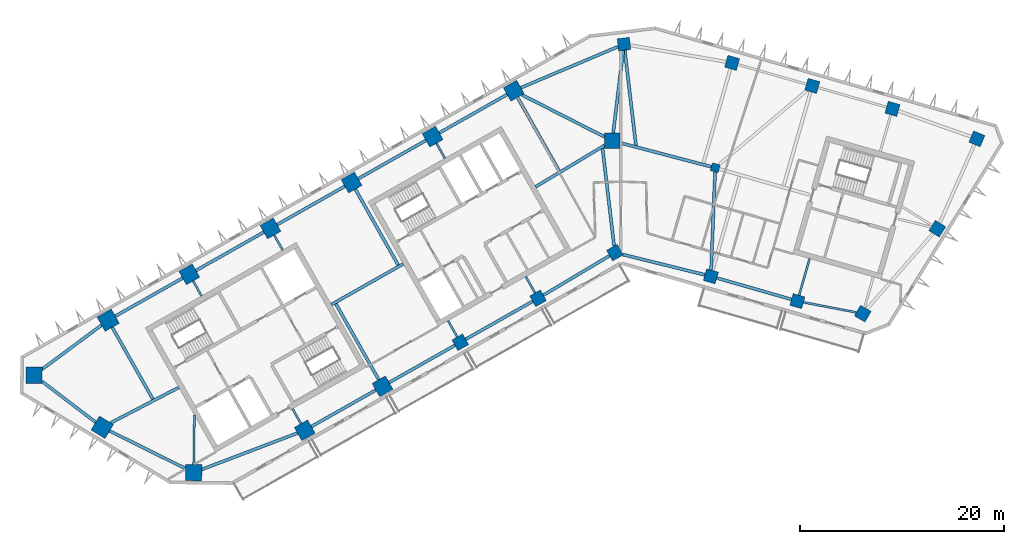
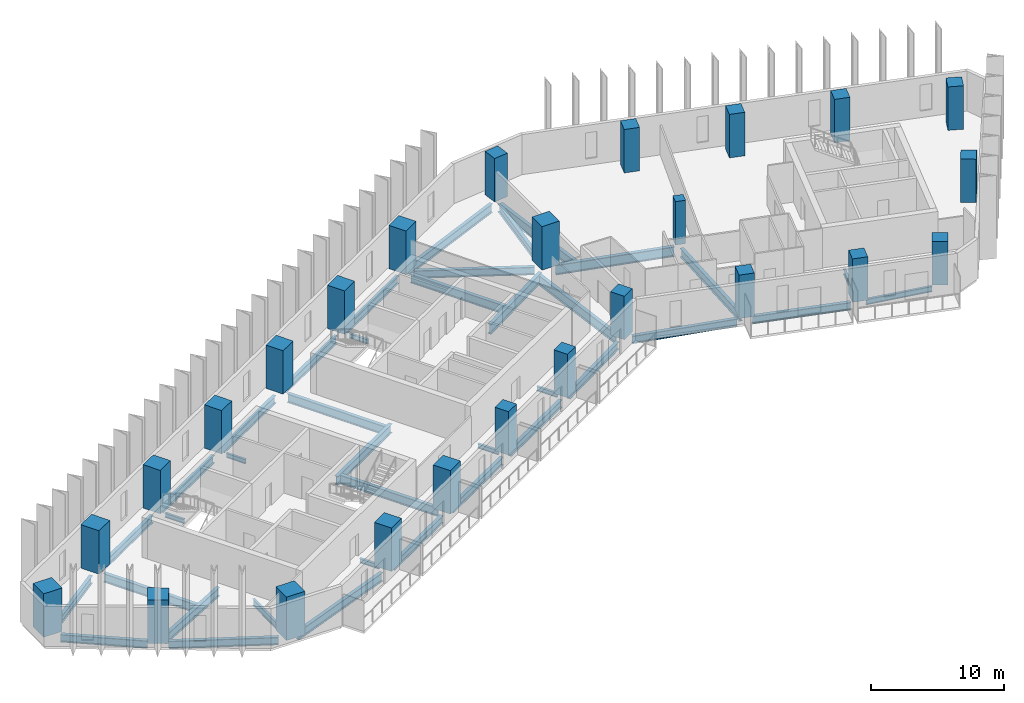
# One storey, part 1 of 10: 38 beams, 25 columns.
"""IFC4 building model written with IfcOpenShell, lengths in metres."""

from ifc_helpers import new_model, si_unit, direction, frame, origin, origin_2d, place, context, subcontext, project, spatial, rectangle, i_section, extrude, material, material_profile, profile_set, type_object, element, save


model = new_model("IFC4")

# Units and contexts
model_context = context("Model", 3, precision=1e-05, world=origin(), true_north=direction((0.0, 1.0)))
body_context = subcontext(model_context, "Body", "Model", "MODEL_VIEW")
ifc_project = project(units=[si_unit("LENGTHUNIT", "METRE"), si_unit("AREAUNIT", "SQUARE_METRE"), si_unit("VOLUMEUNIT", "CUBIC_METRE"), si_unit("PLANEANGLEUNIT", "RADIAN"), si_unit("MASSUNIT", "GRAM", prefix="KILO")], contexts=[model_context])

# Site, building, storey
site_placement = place(None, origin())
site = spatial("IfcSite", under=ifc_project, at=site_placement, CompositionType="ELEMENT")
building_placement = place(site_placement, origin())
building = spatial("IfcBuilding", under=site, at=building_placement, Name="Binnacle Exchange Tower", CompositionType="ELEMENT")
storey_placement = place(building_placement, frame((0.0, 0.0, 194.89990234375)))
storey = spatial("IfcBuildingStorey", under=building, at=storey_placement, Name="L42", CompositionType="ELEMENT", Elevation=194.89990234375)

# Columns
ifc_material_1 = material(Name="Concrete C60/75", Category="concrete")
ifc_material_profile_1 = material_profile(ifc_material_1, rectangle(XDim=0.800048828125, YDim=0.800048828125, at=origin_2d()), Name="Column 800x800 C60/75")
ifc_profile_set_1 = profile_set([ifc_material_profile_1], Name="Concrete C60/75")
column_type_1 = type_object("IfcColumnType", Name="Column 800x800 C60/75", PredefinedType="COLUMN", material=ifc_profile_set_1)
column_placement = place(storey_placement, frame((9.240966796875, 57.35009765625, 0.0), z_axis=(0.0, 0.0, 1.0), x_axis=(0.961261695938, -0.275637355817, 0.0)))
element("IfcColumn", 1, at=column_placement, inside=storey, type_object=column_type_1, Name="S:COL:C19:L42", PredefinedType="COLUMN", context=body_context, shape_type="SweptSolid", body=[
    extrude(rectangle(XDim=0.800048828125, YDim=0.800048828125, at=origin_2d()), origin(), (0.0, 0.0, 1.0), 4.0),
])
ifc_material_2 = material(Name="Concrete C70/85", Category="concrete")
ifc_material_profile_2 = material_profile(ifc_material_2, rectangle(XDim=1.199951171875, YDim=1.199951171875, at=origin_2d()), Name="Mega column 1200x1200 C70/85")
ifc_profile_set_2 = profile_set([ifc_material_profile_2], Name="Concrete C70/85")
column_type_2 = type_object("IfcColumnType", Name="Mega column 1200x1200 C70/85", PredefinedType="COLUMN", material=ifc_profile_set_2)
for number, where, z_axis, x_axis, name in (
    (2, (26.602783203125, 63.12353515625, 0.0), (0.0, 0.0, 1.0), (-0.961261695938, 0.275637355817, 0.0), "S:COL:MC52:L42"),
    (3, (18.746337890625, 65.376220703125, 0.0), (0.0, 0.0, 1.0), (-0.961261695938, 0.275637355817, 0.0), "S:COL:MC50:L42"),
    (4, (10.889892578125, 67.62890625, 0.0), (0.0, 0.0, 1.0), (-0.961261695938, 0.275637355817, 0.0), "S:COL:MC48:L42"),
    (5, (0.300048828125, 69.464111328125, 0.0), (0.0, 0.0, 1.0), (-0.993068456955, -0.117537397458, 0.0), "S:COL:MC47:L42"),
    (6, (-15.736328125, 40.257080078125, 0.0), (0.0, 0.0, 1.0), (0.87035569594, 0.492423560103, 0.0), "S:COL:MC24:L42"),
    (7, (-8.116943359375, 44.568115234375, 0.0), (0.0, 0.0, 1.0), (0.87035569594, 0.492423560103, 0.0), "S:COL:MC35:L42"),
    (8, (-0.5908203125, 49.04443359375, 0.0), (0.0, 0.0, 1.0), (0.87035569594, 0.492423560103, 0.0), "S:COL:MC46:L42"),
    (9, (8.8095703125, 46.722412109375, 0.0), (0.0, 0.0, 1.0), (0.961261695938, -0.275637355817, 0.0), "S:COL:MC49:L42"),
    (10, (17.2880859375, 44.291015625, 0.0), (0.0, 0.0, 1.0), (0.961261695938, -0.275637355817, 0.0), "S:COL:MC51:L42"),
    (11, (23.690185546875, 43.062744140625, 0.0), (0.0, 0.0, 1.0), (-0.86532642813, 0.501208711795, 0.0), "S:COL:MC53:L42"),
    (12, (30.989501953125, 51.38623046875, 0.0), (0.0, 0.0, 1.0), (0.529919264233, 0.848048096156, 0.0), "S:COL:MC55:L42"),
    (13, (34.870361328125, 60.18701171875, 0.0), (0.0, 0.0, 1.0), (-0.922814001807, 0.385245789164, 0.0), "S:COL:MC54:L42"),
):
    element("IfcColumn", number, at=place(storey_placement, frame(where, z_axis=z_axis, x_axis=x_axis)), inside=storey, type_object=column_type_2, Name=name, PredefinedType="COLUMN", context=body_context, shape_type="SweptSolid", body=[
        extrude(rectangle(XDim=1.199951171875, YDim=1.199951171875, at=origin_2d()), origin(), (0.0, 0.0, 1.0), 4.0),
    ])
ifc_material_profile_3 = material_profile(ifc_material_2, rectangle(XDim=1.5, YDim=1.5, at=origin_2d()), Name="Mega column 1500x1500 C70/85")
ifc_profile_set_3 = profile_set([ifc_material_profile_3], Name="Concrete C70/85")
column_type_3 = type_object("IfcColumnType", Name="Mega column 1500x1500 C70/85", PredefinedType="COLUMN", material=ifc_profile_set_3)
for number, where, z_axis, x_axis, name in (
    (14, (-10.4951171875, 64.901611328125, 0.0), (0.0, 0.0, 1.0), (-0.87035569594, -0.492423560103, 0.0), "S:COL:MC38:L42"),
    (15, (-18.44140625, 60.406005859375, 0.0), (0.0, 0.0, 1.0), (-0.87035569594, -0.492423560103, 0.0), "S:COL:MC29:L42"),
    (16, (-26.3876953125, 55.91015625, 0.0), (0.0, 0.0, 1.0), (-0.87035569594, -0.492423560103, 0.0), "S:COL:MC21:L42"),
    (17, (-34.333740234375, 51.414306640625, 0.0), (0.0, 0.0, 1.0), (-0.87035569594, -0.492423560103, 0.0), "S:COL:MC13:L42"),
    (18, (-42.280029296875, 46.918701171875, 0.0), (0.0, 0.0, 1.0), (-0.87035569594, -0.492423560103, 0.0), "S:COL:MC08:L42"),
    (19, (-30.9755859375, 31.63525390625, 0.0), (0.0, 0.0, 1.0), (0.87035569594, 0.492423560103, 0.0), "S:COL:MC07:L42"),
    (20, (-23.35595703125, 35.9462890625, 0.0), (0.0, 0.0, 1.0), (0.87035569594, 0.492423560103, 0.0), "S:COL:MC16:L42"),
    (21, (-0.85009765625, 60.0, 0.0), (0.0, 0.0, 1.0), (0.0, 1.0, 0.0), "S:COL:MC45:L42"),
):
    element("IfcColumn", number, at=place(storey_placement, frame(where, z_axis=z_axis, x_axis=x_axis)), inside=storey, type_object=column_type_3, Name=name, PredefinedType="COLUMN", context=body_context, shape_type="SweptSolid", body=[
        extrude(rectangle(XDim=1.5, YDim=1.5, at=origin_2d()), origin(), (0.0, 0.0, 1.0), 4.0),
    ])
ifc_material_profile_4 = material_profile(ifc_material_2, rectangle(XDim=1.60009765625, YDim=1.60009765625, at=origin_2d()), Name="Mega column 1600x1600 C70/85")
ifc_profile_set_4 = profile_set([ifc_material_profile_4], Name="Concrete C70/85")
column_type_4 = type_object("IfcColumnType", Name="Mega column 1600x1600 C70/85", PredefinedType="COLUMN", material=ifc_profile_set_4)
for number, where, z_axis, x_axis, name in (
    (22, (-50.226318359375, 42.4228515625, 0.0), (0.0, 0.0, 1.0), (-0.87035569594, -0.492423560103, 0.0), "S:COL:MC04:L42"),
    (23, (-57.492919921875, 37.02734375, 0.0), (0.0, 0.0, 1.0), (-0.013089595571, -0.999914327574, 0.0), "S:COL:MC02:L42"),
    (24, (-50.81201171875, 31.930908203125, 0.0), (0.0, 0.0, 1.0), (0.857167300702, -0.51503807491, 0.0), "S:COL:MC01:L42"),
    (25, (-41.857666015625, 27.494873046875, 0.0), (0.0, 0.0, 1.0), (0.999914327574, -0.013089595571, 0.0), "S:COL:MC03:L42"),
):
    element("IfcColumn", number, at=place(storey_placement, frame(where, z_axis=z_axis, x_axis=x_axis)), inside=storey, type_object=column_type_4, Name=name, PredefinedType="COLUMN", context=body_context, shape_type="SweptSolid", body=[
        extrude(rectangle(XDim=1.60009765625, YDim=1.60009765625, at=origin_2d()), origin(), (0.0, 0.0, 1.0), 4.0),
    ])

# Beams
ifc_material_3 = material(Name="Steel S355 (SHN355)", Category="steel")
ifc_material_profile_5 = material_profile(ifc_material_3, i_section(OverallWidth=0.200927734375, OverallDepth=0.506103515625, WebThickness=0.010986328125, FlangeThickness=0.01904296875, FilletRadius=0.02001953125, at=origin_2d()), Name="H 506x201x11x19")
ifc_profile_set_5 = profile_set([ifc_material_profile_5], Name="Steel S355 (SHN355)")
beam_type_1 = type_object("IfcBeamType", Name="Edge girder H 506x201x11x19 Steel S355 (SHN355)", PredefinedType="SPANDREL", material=ifc_profile_set_5)
beam_1_placement = place(storey_placement, frame((17.8798828125, 44.177490234375, -0.572998046875), z_axis=(0.982085171807, -0.188437563446, 0.0), x_axis=(0.188437563446, 0.982085171807, 0.0)))
element("IfcBeam", 26, at=beam_1_placement, inside=storey, type_object=beam_type_1, Name="S:BM:edge:L42:028", PredefinedType="SPANDREL", context=body_context, shape_type="SweptSolid", body=[
    extrude(i_section(OverallWidth=0.200927734375, OverallDepth=0.506103515625, WebThickness=0.010986328125, FlangeThickness=0.01904296875, FilletRadius=0.02001953125, at=origin_2d()), origin(), (0.0, 0.0, 1.0), 5.281005859375),
])
ifc_material_profile_6 = material_profile(ifc_material_3, i_section(OverallWidth=0.300048828125, OverallDepth=0.699951171875, WebThickness=0.012939453125, FlangeThickness=0.02392578125, FilletRadius=0.028076171875, at=origin_2d()), Name="H 700x300x13x24")
ifc_profile_set_6 = profile_set([ifc_material_profile_6], Name="Steel S355 (SHN355)")
beam_type_2 = type_object("IfcBeamType", Name="Edge girder H 700x300x13x24 Steel S355 (SHN355)", PredefinedType="SPANDREL", material=ifc_profile_set_6)
beam_2_placement = place(storey_placement, frame((-56.70068359375, 36.423095703125, -0.669921875), z_axis=(0.795078424379, -0.606506635649, 0.0), x_axis=(0.606506635649, 0.795078424379, 0.0)))
element("IfcBeam", 27, at=beam_2_placement, inside=storey, type_object=beam_type_2, Name="S:BM:edge:L42:011", PredefinedType="SPANDREL", context=body_context, shape_type="SweptSolid", body=[
    extrude(i_section(OverallWidth=0.300048828125, OverallDepth=0.699951171875, WebThickness=0.012939453125, FlangeThickness=0.02392578125, FilletRadius=0.028076171875, at=origin_2d()), origin(), (0.0, 0.0, 1.0), 6.6015625),
])
beam_3_placement = place(storey_placement, frame((-50.87353515625, 41.9423828125, -0.669921875), z_axis=(-0.802872533272, -0.596150732044, 0.0), x_axis=(0.596150732044, -0.802872533272, 0.0)))
element("IfcBeam", 28, at=beam_3_placement, inside=storey, type_object=beam_type_2, Name="S:BM:edge:L42:012", PredefinedType="SPANDREL", context=body_context, shape_type="SweptSolid", body=[
    extrude(i_section(OverallWidth=0.300048828125, OverallDepth=0.699951171875, WebThickness=0.012939453125, FlangeThickness=0.02392578125, FilletRadius=0.028076171875, at=origin_2d()), origin(), (0.0, 0.0, 1.0), 7.238525390625),
])
beam_4_placement = place(storey_placement, frame((-50.0927734375, 31.57470703125, -0.669921875), z_axis=(0.896061869104, -0.443929191131, 0.0), x_axis=(0.443929191131, 0.896061869104, 0.0)))
element("IfcBeam", 29, at=beam_4_placement, inside=storey, type_object=beam_type_2, Name="S:BM:edge:L42:013", PredefinedType="SPANDREL", context=body_context, shape_type="SweptSolid", body=[
    extrude(i_section(OverallWidth=0.300048828125, OverallDepth=0.699951171875, WebThickness=0.012939453125, FlangeThickness=0.02392578125, FilletRadius=0.028076171875, at=origin_2d()), origin(), (0.0, 0.0, 1.0), 8.30322265625),
])
beam_5_placement = place(storey_placement, frame((-42.932861328125, 46.54931640625, -0.669921875), z_axis=(-0.870352192811, -0.492429751811, 0.0), x_axis=(0.492429751811, -0.870352192811, 0.0)))
element("IfcBeam", 30, at=beam_5_placement, inside=storey, type_object=beam_type_2, Name="S:BM:edge:L42:014", PredefinedType="SPANDREL", context=body_context, shape_type="SweptSolid", body=[
    extrude(i_section(OverallWidth=0.300048828125, OverallDepth=0.699951171875, WebThickness=0.012939453125, FlangeThickness=0.02392578125, FilletRadius=0.028076171875, at=origin_2d()), origin(), (0.0, 0.0, 1.0), 7.57958984375),
])
beam_6_placement = place(storey_placement, frame((-34.986572265625, 51.045166015625, -0.669921875), z_axis=(-0.870355964277, -0.492423085818, 0.0), x_axis=(0.492423085818, -0.870355964277, 0.0)))
element("IfcBeam", 31, at=beam_6_placement, inside=storey, type_object=beam_type_2, Name="S:BM:edge:L42:016", PredefinedType="SPANDREL", context=body_context, shape_type="SweptSolid", body=[
    extrude(i_section(OverallWidth=0.300048828125, OverallDepth=0.699951171875, WebThickness=0.012939453125, FlangeThickness=0.02392578125, FilletRadius=0.028076171875, at=origin_2d()), origin(), (0.0, 0.0, 1.0), 7.6298828125),
])
beam_7_placement = place(storey_placement, frame((-30.32275390625, 32.004638671875, -0.669921875), z_axis=(0.870355920795, 0.492423162674, 0.0), x_axis=(-0.492423162674, 0.870355920795, 0.0)))
element("IfcBeam", 32, at=beam_7_placement, inside=storey, type_object=beam_type_2, Name="S:BM:edge:L42:017", PredefinedType="SPANDREL", context=body_context, shape_type="SweptSolid", body=[
    extrude(i_section(OverallWidth=0.300048828125, OverallDepth=0.699951171875, WebThickness=0.012939453125, FlangeThickness=0.02392578125, FilletRadius=0.028076171875, at=origin_2d()), origin(), (0.0, 0.0, 1.0), 7.25439453125),
])
beam_8_placement = place(storey_placement, frame((-27.040283203125, 55.541015625, -0.669921875), z_axis=(-0.870342250182, -0.492447324643, 0.0), x_axis=(0.492447324643, -0.870342250182, 0.0)))
element("IfcBeam", 33, at=beam_8_placement, inside=storey, type_object=beam_type_2, Name="S:BM:edge:L42:018", PredefinedType="SPANDREL", context=body_context, shape_type="SweptSolid", body=[
    extrude(i_section(OverallWidth=0.300048828125, OverallDepth=0.699951171875, WebThickness=0.012939453125, FlangeThickness=0.02392578125, FilletRadius=0.028076171875, at=origin_2d()), origin(), (0.0, 0.0, 1.0), 7.6298828125),
])
beam_9_placement = place(storey_placement, frame((-22.703125, 36.3154296875, -0.669921875), z_axis=(0.87035151347, 0.49243095252, 0.0), x_axis=(-0.49243095252, 0.87035151347, 0.0)))
element("IfcBeam", 34, at=beam_9_placement, inside=storey, type_object=beam_type_2, Name="S:BM:edge:L42:019", PredefinedType="SPANDREL", context=body_context, shape_type="SweptSolid", body=[
    extrude(i_section(OverallWidth=0.300048828125, OverallDepth=0.699951171875, WebThickness=0.012939453125, FlangeThickness=0.02392578125, FilletRadius=0.028076171875, at=origin_2d()), origin(), (0.0, 0.0, 1.0), 7.404541015625),
])
beam_10_placement = place(storey_placement, frame((-19.093994140625, 60.03662109375, -0.669921875), z_axis=(-0.870363722936, -0.492409372165, 0.0), x_axis=(0.492409372165, -0.870363722936, 0.0)))
element("IfcBeam", 35, at=beam_10_placement, inside=storey, type_object=beam_type_2, Name="S:BM:edge:L42:020", PredefinedType="SPANDREL", context=body_context, shape_type="SweptSolid", body=[
    extrude(i_section(OverallWidth=0.300048828125, OverallDepth=0.699951171875, WebThickness=0.012939453125, FlangeThickness=0.02392578125, FilletRadius=0.028076171875, at=origin_2d()), origin(), (0.0, 0.0, 1.0), 7.6298828125),
])
beam_11_placement = place(storey_placement, frame((-15.214111328125, 40.552734375, -0.669921875), z_axis=(0.870353295418, 0.492427802988, 0.0), x_axis=(-0.492427802988, 0.870353295418, 0.0)))
element("IfcBeam", 36, at=beam_11_placement, inside=storey, type_object=beam_type_2, Name="S:BM:edge:L42:021", PredefinedType="SPANDREL", context=body_context, shape_type="SweptSolid", body=[
    extrude(i_section(OverallWidth=0.300048828125, OverallDepth=0.699951171875, WebThickness=0.012939453125, FlangeThickness=0.02392578125, FilletRadius=0.028076171875, at=origin_2d()), origin(), (0.0, 0.0, 1.0), 7.554443359375),
])
beam_12_placement = place(storey_placement, frame((-11.14794921875, 64.532470703125, -0.669921875), z_axis=(-0.870355964277, -0.492423085818, 0.0), x_axis=(0.492423085818, -0.870355964277, 0.0)))
element("IfcBeam", 37, at=beam_12_placement, inside=storey, type_object=beam_type_2, Name="S:BM:edge:L42:022", PredefinedType="SPANDREL", context=body_context, shape_type="SweptSolid", body=[
    extrude(i_section(OverallWidth=0.300048828125, OverallDepth=0.699951171875, WebThickness=0.012939453125, FlangeThickness=0.02392578125, FilletRadius=0.028076171875, at=origin_2d()), origin(), (0.0, 0.0, 1.0), 7.6298828125),
])
beam_13_placement = place(storey_placement, frame((-7.60107421875, 44.875, -0.669921875), z_axis=(0.85946222832, 0.511199254783, 0.0), x_axis=(-0.511199254783, 0.85946222832, 0.0)))
element("IfcBeam", 38, at=beam_13_placement, inside=storey, type_object=beam_type_2, Name="S:BM:edge:L42:023", PredefinedType="SPANDREL", context=body_context, shape_type="SweptSolid", body=[
    extrude(i_section(OverallWidth=0.300048828125, OverallDepth=0.699951171875, WebThickness=0.012939453125, FlangeThickness=0.02392578125, FilletRadius=0.028076171875, at=origin_2d()), origin(), (0.0, 0.0, 1.0), 7.556396484375),
])
beam_14_placement = place(storey_placement, frame((0.21044921875, 48.846435546875, -0.669921875), z_axis=(0.970817017645, -0.239821429924, 0.0), x_axis=(0.239821429924, 0.970817017645, 0.0)))
element("IfcBeam", 39, at=beam_14_placement, inside=storey, type_object=beam_type_2, Name="S:BM:edge:L42:025", PredefinedType="SPANDREL", context=body_context, shape_type="SweptSolid", body=[
    extrude(i_section(OverallWidth=0.300048828125, OverallDepth=0.699951171875, WebThickness=0.012939453125, FlangeThickness=0.02392578125, FilletRadius=0.028076171875, at=origin_2d()), origin(), (0.0, 0.0, 1.0), 8.257080078125),
])
beam_15_placement = place(storey_placement, frame((9.38623046875, 46.556884765625, -0.669921875), z_axis=(0.961266012815, -0.275622300635, 0.0), x_axis=(0.275622300635, 0.961266012815, 0.0)))
element("IfcBeam", 40, at=beam_15_placement, inside=storey, type_object=beam_type_2, Name="S:BM:edge:L42:026", PredefinedType="SPANDREL", context=body_context, shape_type="SweptSolid", body=[
    extrude(i_section(OverallWidth=0.300048828125, OverallDepth=0.699951171875, WebThickness=0.012939453125, FlangeThickness=0.02392578125, FilletRadius=0.028076171875, at=origin_2d()), origin(), (0.0, 0.0, 1.0), 7.620361328125),
])
ifc_material_profile_7 = material_profile(ifc_material_3, i_section(OverallWidth=0.300048828125, OverallDepth=0.800048828125, WebThickness=0.013916015625, FlangeThickness=0.02587890625, FilletRadius=0.028076171875, at=origin_2d()), Name="H 800x300x14x26")
ifc_profile_set_7 = profile_set([ifc_material_profile_7], Name="Steel S355 (SHN355)")
beam_type_3 = type_object("IfcBeamType", Name="Edge girder H 800x300x14x26 Steel S355 (SHN355)", PredefinedType="SPANDREL", material=ifc_profile_set_7)
beam_16_placement = place(storey_placement, frame((-41.0537109375, 27.80078125, -0.719970703125), z_axis=(0.934633884233, 0.355611448695, 0.0), x_axis=(-0.355611448695, 0.934633884233, 0.0)))
element("IfcBeam", 41, at=beam_16_placement, inside=storey, type_object=beam_type_3, Name="S:BM:edge:L42:015", PredefinedType="SPANDREL", context=body_context, shape_type="SweptSolid", body=[
    extrude(i_section(OverallWidth=0.300048828125, OverallDepth=0.800048828125, WebThickness=0.013916015625, FlangeThickness=0.02587890625, FilletRadius=0.028076171875, at=origin_2d()), origin(), (0.0, 0.0, 1.0), 10.024169921875),
])
beam_17_placement = place(storey_placement, frame((-0.275390625, 69.220947265625, -0.719970703125), z_axis=(-0.921111875234, -0.389297974953, 0.0), x_axis=(0.389297974953, -0.921111875234, 0.0)))
element("IfcBeam", 42, at=beam_17_placement, inside=storey, type_object=beam_type_3, Name="S:BM:edge:L42:024", PredefinedType="SPANDREL", context=body_context, shape_type="SweptSolid", body=[
    extrude(i_section(OverallWidth=0.300048828125, OverallDepth=0.800048828125, WebThickness=0.013916015625, FlangeThickness=0.02587890625, FilletRadius=0.028076171875, at=origin_2d()), origin(), (0.0, 0.0, 1.0), 10.340087890625),
])
ifc_material_profile_8 = material_profile(ifc_material_3, i_section(OverallWidth=0.199951171875, OverallDepth=0.39990234375, WebThickness=0.008056640625, FlangeThickness=0.012939453125, FilletRadius=0.01611328125, at=origin_2d()), Name="H 400x200x8x13")
ifc_profile_set_8 = profile_set([ifc_material_profile_8], Name="Steel S355 (SHN355)")
beam_type_4 = type_object("IfcBeamType", Name="Floor beam H 400x200x8x13 Steel S355 (SHN355)", PredefinedType="BEAM", material=ifc_profile_set_8)
beam_18_placement = place(storey_placement, frame((-41.91064453125, 46.265869140625, -0.52001953125), z_axis=(0.49243456751, -0.870349468157, 0.0), x_axis=(0.870349468157, 0.49243456751, 0.0)))
element("IfcBeam", 43, at=beam_18_placement, inside=storey, type_object=beam_type_4, Name="S:BM:cross:L42:035", PredefinedType="BEAM", context=body_context, shape_type="SweptSolid", body=[
    extrude(i_section(OverallWidth=0.199951171875, OverallDepth=0.39990234375, WebThickness=0.008056640625, FlangeThickness=0.012939453125, FilletRadius=0.01611328125, at=origin_2d()), origin(), (0.0, 0.0, 1.0), 1.68408203125),
])
beam_19_placement = place(storey_placement, frame((-33.964599609375, 50.76171875, -0.52001953125), z_axis=(0.492482237839, -0.870322495063, 0.0), x_axis=(0.870322495063, 0.492482237839, 0.0)))
element("IfcBeam", 44, at=beam_19_placement, inside=storey, type_object=beam_type_4, Name="S:BM:cross:L42:037", PredefinedType="BEAM", context=body_context, shape_type="SweptSolid", body=[
    extrude(i_section(OverallWidth=0.199951171875, OverallDepth=0.39990234375, WebThickness=0.008056640625, FlangeThickness=0.012939453125, FilletRadius=0.01611328125, at=origin_2d()), origin(), (0.0, 0.0, 1.0), 1.6845703125),
])
for number, where, z_axis, x_axis, name in (
    (45, (-31.344970703125, 32.2880859375, -0.52001953125), (-0.49243456751, 0.870349468157, 0.0), (-0.870349468157, -0.49243456751, 0.0), "S:BM:cross:L42:038"),
    (46, (-18.072021484375, 59.753173828125, -0.52001953125), (0.49243456751, -0.870349468157, 0.0), (0.870349468157, 0.49243456751, 0.0), "S:BM:cross:L42:041"),
):
    element("IfcBeam", number, at=place(storey_placement, frame(where, z_axis=z_axis, x_axis=x_axis)), inside=storey, type_object=beam_type_4, Name=name, PredefinedType="BEAM", context=body_context, shape_type="SweptSolid", body=[
        extrude(i_section(OverallWidth=0.199951171875, OverallDepth=0.39990234375, WebThickness=0.008056640625, FlangeThickness=0.012939453125, FilletRadius=0.01611328125, at=origin_2d()), origin(), (0.0, 0.0, 1.0), 1.68408203125),
    ])
beam_20_placement = place(storey_placement, frame((-16.031982421875, 40.779296875, -0.52001953125), z_axis=(-0.492307212856, 0.870421511781, 0.0), x_axis=(-0.870421511781, -0.492307212856, 0.0)))
element("IfcBeam", 47, at=beam_20_placement, inside=storey, type_object=beam_type_4, Name="S:BM:cross:L42:042", PredefinedType="BEAM", context=body_context, shape_type="SweptSolid", body=[
    extrude(i_section(OverallWidth=0.199951171875, OverallDepth=0.39990234375, WebThickness=0.008056640625, FlangeThickness=0.012939453125, FilletRadius=0.01611328125, at=origin_2d()), origin(), (0.0, 0.0, 1.0), 1.83447265625),
])
beam_21_placement = place(storey_placement, frame((-8.412353515625, 45.09033203125, -0.52001953125), z_axis=(-0.492465079532, 0.87033220407, 0.0), x_axis=(-0.87033220407, -0.492465079532, 0.0)))
element("IfcBeam", 48, at=beam_21_placement, inside=storey, type_object=beam_type_4, Name="S:BM:cross:L42:044", PredefinedType="BEAM", context=body_context, shape_type="SweptSolid", body=[
    extrude(i_section(OverallWidth=0.199951171875, OverallDepth=0.39990234375, WebThickness=0.008056640625, FlangeThickness=0.012939453125, FilletRadius=0.01611328125, at=origin_2d()), origin(), (0.0, 0.0, 1.0), 1.834228515625),
])
ifc_material_profile_9 = material_profile(ifc_material_3, i_section(OverallWidth=0.199951171875, OverallDepth=0.5, WebThickness=0.010009765625, FlangeThickness=0.01611328125, FilletRadius=0.02001953125, at=origin_2d()), Name="H 500x200x10x16")
ifc_profile_set_9 = profile_set([ifc_material_profile_9], Name="Steel S355 (SHN355)")
beam_type_5 = type_object("IfcBeamType", Name="Floor beam H 500x200x10x16 Steel S355 (SHN355)", PredefinedType="BEAM", material=ifc_profile_set_9)
beam_22_placement = place(storey_placement, frame((17.45361328125, 44.867919921875, -0.56982421875), z_axis=(0.275644746045, 0.961259576794, 0.0), x_axis=(-0.961259576794, 0.275644746045, 0.0)))
element("IfcBeam", 49, at=beam_22_placement, inside=storey, type_object=beam_type_5, Name="S:BM:cross:L42:049", PredefinedType="BEAM", context=body_context, shape_type="SweptSolid", body=[
    extrude(i_section(OverallWidth=0.199951171875, OverallDepth=0.5, WebThickness=0.010009765625, FlangeThickness=0.01611328125, FilletRadius=0.02001953125, at=origin_2d()), origin(), (0.0, 0.0, 1.0), 3.735107421875),
])
ifc_material_profile_10 = material_profile(ifc_material_3, i_section(OverallWidth=0.200927734375, OverallDepth=0.60595703125, WebThickness=0.011962890625, FlangeThickness=0.02001953125, FilletRadius=0.02197265625, at=origin_2d()), Name="H 606x201x12x20")
ifc_profile_set_10 = profile_set([ifc_material_profile_10], Name="Steel S355 (SHN355)")
beam_type_6 = type_object("IfcBeamType", Name="Floor beam H 606x201x12x20 Steel S355 (SHN355)", PredefinedType="BEAM", material=ifc_profile_set_10)
beam_23_placement = place(storey_placement, frame((-41.84716796875, 28.294677734375, -0.622802734375), z_axis=(0.013085908175, 0.999914375838, 0.0), x_axis=(-0.999914375838, 0.013085908175, 0.0)))
element("IfcBeam", 50, at=beam_23_placement, inside=storey, type_object=beam_type_6, Name="S:BM:cross:L42:036", PredefinedType="BEAM", context=body_context, shape_type="SweptSolid", body=[
    extrude(i_section(OverallWidth=0.200927734375, OverallDepth=0.60595703125, WebThickness=0.011962890625, FlangeThickness=0.02001953125, FilletRadius=0.02197265625, at=origin_2d()), origin(), (0.0, 0.0, 1.0), 4.850830078125),
])
ifc_material_profile_11 = material_profile(ifc_material_3, i_section(OverallWidth=0.302001953125, OverallDepth=0.80810546875, WebThickness=0.01611328125, FlangeThickness=0.030029296875, FilletRadius=0.028076171875, at=origin_2d()), Name="H 808x302x16x30")
ifc_profile_set_11 = profile_set([ifc_material_profile_11], Name="Steel S355 (SHN355)")
beam_type_7 = type_object("IfcBeamType", Name="Floor beam H 808x302x16x30 Steel S355 (SHN355)", PredefinedType="BEAM", material=ifc_profile_set_11)
beam_24_placement = place(storey_placement, frame((-49.832275390625, 41.7265625, -0.723876953125), z_axis=(0.492430056331, -0.870352020519, 0.0), x_axis=(0.870352020519, 0.492430056331, 0.0)))
element("IfcBeam", 51, at=beam_24_placement, inside=storey, type_object=beam_type_7, Name="S:BM:cross:L42:034", PredefinedType="BEAM", context=body_context, shape_type="SweptSolid", body=[
    extrude(i_section(OverallWidth=0.302001953125, OverallDepth=0.80810546875, WebThickness=0.01611328125, FlangeThickness=0.030029296875, FilletRadius=0.028076171875, at=origin_2d()), origin(), (0.0, 0.0, 1.0), 8.09130859375),
])
for number, where, z_axis, x_axis, name in (
    (52, (-26.018310546875, 55.25732421875, -0.723876953125), (0.4924220214, -0.870356566495, 0.0), (0.870356566495, 0.4924220214, 0.0), "S:BM:cross:L42:039"),
    (53, (-23.725341796875, 36.59912109375, -0.723876953125), (-0.4924220214, 0.870356566495, 0.0), (-0.870356566495, -0.4924220214, 0.0), "S:BM:cross:L42:040"),
):
    element("IfcBeam", number, at=place(storey_placement, frame(where, z_axis=z_axis, x_axis=x_axis)), inside=storey, type_object=beam_type_7, Name=name, PredefinedType="BEAM", context=body_context, shape_type="SweptSolid", body=[
        extrude(i_section(OverallWidth=0.302001953125, OverallDepth=0.80810546875, WebThickness=0.01611328125, FlangeThickness=0.030029296875, FilletRadius=0.028076171875, at=origin_2d()), origin(), (0.0, 0.0, 1.0), 8.5341796875),
    ])
beam_25_placement = place(storey_placement, frame((-10.125732421875, 64.248779296875, -0.723876953125), z_axis=(0.492423973828, -0.870355461866, 0.0), x_axis=(0.870355461866, 0.492423973828, 0.0)))
element("IfcBeam", 54, at=beam_25_placement, inside=storey, type_object=beam_type_7, Name="S:BM:cross:L42:043", PredefinedType="BEAM", context=body_context, shape_type="SweptSolid", body=[
    extrude(i_section(OverallWidth=0.302001953125, OverallDepth=0.80810546875, WebThickness=0.01611328125, FlangeThickness=0.030029296875, FilletRadius=0.028076171875, at=origin_2d()), origin(), (0.0, 0.0, 1.0), 8.269287109375),
])
ifc_material_profile_12 = material_profile(ifc_material_3, i_section(OverallWidth=0.302001953125, OverallDepth=0.912109375, WebThickness=0.01806640625, FlangeThickness=0.033935546875, FilletRadius=0.028076171875, at=origin_2d()), Name="H 912x302x18x34")
ifc_profile_set_12 = profile_set([ifc_material_profile_12], Name="Steel S355 (SHN355)")
beam_type_8 = type_object("IfcBeamType", Name="Floor beam H 912x302x18x34 Steel S355 (SHN355)", PredefinedType="BEAM", material=ifc_profile_set_12)
beam_26_placement = place(storey_placement, frame((-0.66748046875, 49.690673828125, -0.77587890625), z_axis=(-0.117518220547, 0.993070726504, 0.0), x_axis=(-0.993070726504, -0.117518220547, 0.0)))
element("IfcBeam", 55, at=beam_26_placement, inside=storey, type_object=beam_type_8, Name="S:BM:cross:L42:045", PredefinedType="BEAM", context=body_context, shape_type="SweptSolid", body=[
    extrude(i_section(OverallWidth=0.302001953125, OverallDepth=0.912109375, WebThickness=0.01806640625, FlangeThickness=0.033935546875, FilletRadius=0.028076171875, at=origin_2d()), origin(), (0.0, 0.0, 1.0), 9.645751953125),
])
beam_27_placement = place(storey_placement, frame((0.37060546875, 68.868408203125, -0.77587890625), z_axis=(0.117552497625, -0.993066669616, 0.0), x_axis=(0.993066669616, 0.117552497625, 0.0)))
element("IfcBeam", 56, at=beam_27_placement, inside=storey, type_object=beam_type_8, Name="S:BM:cross:L42:046", PredefinedType="BEAM", context=body_context, shape_type="SweptSolid", body=[
    extrude(i_section(OverallWidth=0.302001953125, OverallDepth=0.912109375, WebThickness=0.01806640625, FlangeThickness=0.033935546875, FilletRadius=0.028076171875, at=origin_2d()), origin(), (0.0, 0.0, 1.0), 9.39990234375),
])
ifc_material_profile_13 = material_profile(ifc_material_3, i_section(OverallWidth=0.300048828125, OverallDepth=0.699951171875, WebThickness=0.012939453125, FlangeThickness=0.02392578125, FilletRadius=0.028076171875, at=origin_2d()), Name="H 700x300x13x24")
ifc_profile_set_13 = profile_set([ifc_material_profile_13], Name="Steel S355 (SHN355)")
beam_type_9 = type_object("IfcBeamType", Name="Spine girder H 700x300x13x24 Steel S355 (SHN355)", PredefinedType="BEAM", material=ifc_profile_set_13)
beam_28_placement = place(storey_placement, frame((-0.7587890625, 60.75, -0.669921875), z_axis=(0.120620829002, 0.992698652971, 0.0), x_axis=(-0.992698652971, 0.120620829002, 0.0)))
element("IfcBeam", 57, at=beam_28_placement, inside=storey, type_object=beam_type_9, Name="S:BM:spine:L42:005", PredefinedType="BEAM", context=body_context, shape_type="SweptSolid", body=[
    extrude(i_section(OverallWidth=0.300048828125, OverallDepth=0.699951171875, WebThickness=0.012939453125, FlangeThickness=0.02392578125, FilletRadius=0.028076171875, at=origin_2d()), origin(), (0.0, 0.0, 1.0), 8.160888671875),
])
ifc_material_profile_14 = material_profile(ifc_material_3, i_section(OverallWidth=0.302001953125, OverallDepth=0.7080078125, WebThickness=0.014892578125, FlangeThickness=0.028076171875, FilletRadius=0.028076171875, at=origin_2d()), Name="H 708x302x15x28")
ifc_profile_set_14 = profile_set([ifc_material_profile_14], Name="Steel S355 (SHN355)")
beam_type_10 = type_object("IfcBeamType", Name="Spine girder H 708x302x15x28 Steel S355 (SHN355)", PredefinedType="BEAM", material=ifc_profile_set_14)
beam_29_placement = place(storey_placement, frame((-1.60009765625, 60.381103515625, -0.673828125), z_axis=(-0.891476459322, 0.453067017641, 0.0), x_axis=(-0.453067017641, -0.891476459322, 0.0)))
element("IfcBeam", 58, at=beam_29_placement, inside=storey, type_object=beam_type_10, Name="S:BM:spine:L42:004", PredefinedType="BEAM", context=body_context, shape_type="SweptSolid", body=[
    extrude(i_section(OverallWidth=0.302001953125, OverallDepth=0.7080078125, WebThickness=0.014892578125, FlangeThickness=0.028076171875, FilletRadius=0.028076171875, at=origin_2d()), origin(), (0.0, 0.0, 1.0), 9.07763671875),
])
ifc_material_profile_15 = material_profile(ifc_material_3, i_section(OverallWidth=0.302001953125, OverallDepth=0.80810546875, WebThickness=0.01611328125, FlangeThickness=0.030029296875, FilletRadius=0.028076171875, at=origin_2d()), Name="H 808x302x16x30")
ifc_profile_set_15 = profile_set([ifc_material_profile_15], Name="Steel S355 (SHN355)")
beam_type_11 = type_object("IfcBeamType", Name="Spine girder H 808x302x16x30 Steel S355 (SHN355)", PredefinedType="BEAM", material=ifc_profile_set_15)
beam_30_placement = place(storey_placement, frame((-49.979736328125, 32.3642578125, -0.723876953125), z_axis=(0.886978621009, 0.461810486968, 0.0), x_axis=(-0.461810486968, 0.886978621009, 0.0)))
element("IfcBeam", 59, at=beam_30_placement, inside=storey, type_object=beam_type_11, Name="S:BM:spine:L42:001", PredefinedType="BEAM", context=body_context, shape_type="SweptSolid", body=[
    extrude(i_section(OverallWidth=0.302001953125, OverallDepth=0.80810546875, WebThickness=0.01611328125, FlangeThickness=0.030029296875, FilletRadius=0.028076171875, at=origin_2d()), origin(), (0.0, 0.0, 1.0), 7.522216796875),
])
beam_31_placement = place(storey_placement, frame((-28.365478515625, 43.951416015625, -0.723876953125), z_axis=(0.870350319004, 0.492433063684, 0.0), x_axis=(-0.492433063684, 0.870350319004, 0.0)))
element("IfcBeam", 60, at=beam_31_placement, inside=storey, type_object=beam_type_11, Name="S:BM:spine:L42:002", PredefinedType="BEAM", context=body_context, shape_type="SweptSolid", body=[
    extrude(i_section(OverallWidth=0.302001953125, OverallDepth=0.80810546875, WebThickness=0.01611328125, FlangeThickness=0.030029296875, FilletRadius=0.028076171875, at=origin_2d()), origin(), (0.0, 0.0, 1.0), 8.0908203125),
])
beam_32_placement = place(storey_placement, frame((9.22412109375, 56.93896484375, -0.723876953125), z_axis=(-0.040556634715, -0.999177241224, 0.0), x_axis=(0.999177241224, -0.040556634715, 0.0)))
element("IfcBeam", 61, at=beam_32_placement, inside=storey, type_object=beam_type_11, Name="S:BM:spine:L42:007", PredefinedType="BEAM", context=body_context, shape_type="SweptSolid", body=[
    extrude(i_section(OverallWidth=0.302001953125, OverallDepth=0.80810546875, WebThickness=0.01611328125, FlangeThickness=0.030029296875, FilletRadius=0.028076171875, at=origin_2d()), origin(), (0.0, 0.0, 1.0), 9.607421875),
])
ifc_material_profile_16 = material_profile(ifc_material_3, i_section(OverallWidth=0.302001953125, OverallDepth=0.912109375, WebThickness=0.01806640625, FlangeThickness=0.033935546875, FilletRadius=0.028076171875, at=origin_2d()), Name="H 912x302x18x34")
ifc_profile_set_16 = profile_set([ifc_material_profile_16], Name="Steel S355 (SHN355)")
beam_type_12 = type_object("IfcBeamType", Name="Spine girder H 912x302x18x34 Steel S355 (SHN355)", PredefinedType="BEAM", material=ifc_profile_set_16)
beam_33_placement = place(storey_placement, frame((-8.36328125, 55.489990234375, -0.77587890625), z_axis=(0.857386401747, 0.514673253724, 0.0), x_axis=(-0.514673253724, 0.857386401747, 0.0)))
element("IfcBeam", 62, at=beam_33_placement, inside=storey, type_object=beam_type_12, Name="S:BM:spine:L42:003", PredefinedType="BEAM", context=body_context, shape_type="SweptSolid", body=[
    extrude(i_section(OverallWidth=0.302001953125, OverallDepth=0.912109375, WebThickness=0.01806640625, FlangeThickness=0.033935546875, FilletRadius=0.028076171875, at=origin_2d()), origin(), (0.0, 0.0, 1.0), 7.88818359375),
])
beam_34_placement = place(storey_placement, frame((-0.10009765625, 59.802978515625, -0.77587890625), z_axis=(0.967214448634, -0.253961041017, 0.0), x_axis=(0.253961041017, 0.967214448634, 0.0)))
element("IfcBeam", 63, at=beam_34_placement, inside=storey, type_object=beam_type_12, Name="S:BM:spine:L42:006", PredefinedType="BEAM", context=body_context, shape_type="SweptSolid", body=[
    extrude(i_section(OverallWidth=0.302001953125, OverallDepth=0.912109375, WebThickness=0.01806640625, FlangeThickness=0.033935546875, FilletRadius=0.028076171875, at=origin_2d()), origin(), (0.0, 0.0, 1.0), 9.257568359375),
])

save(model, "model.ifc")
